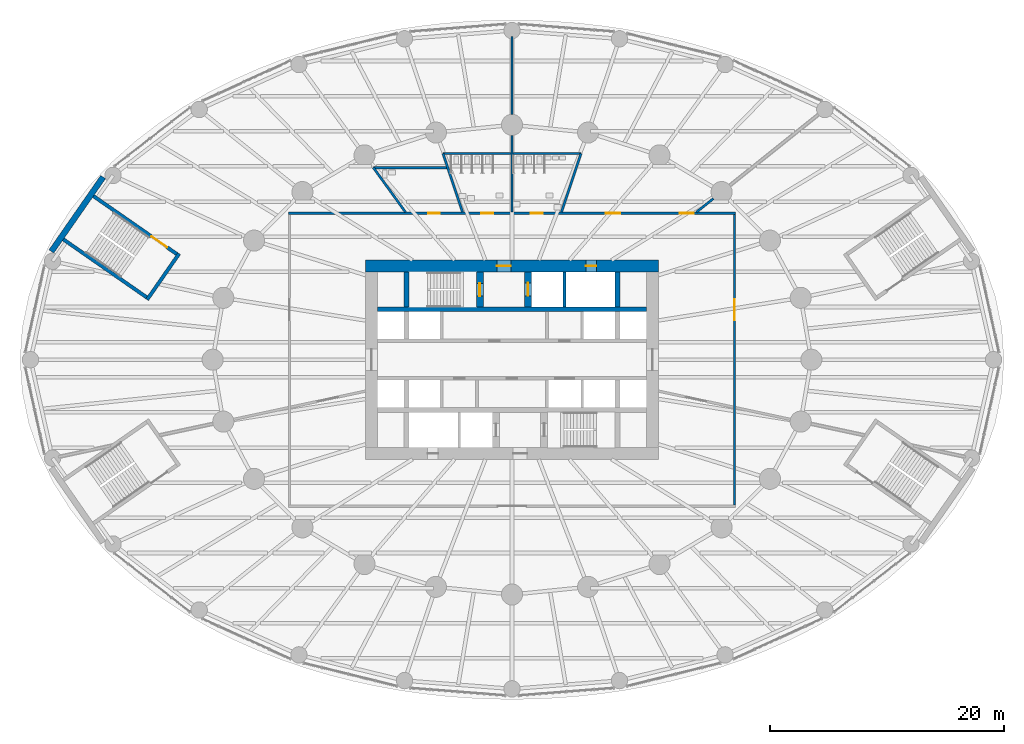
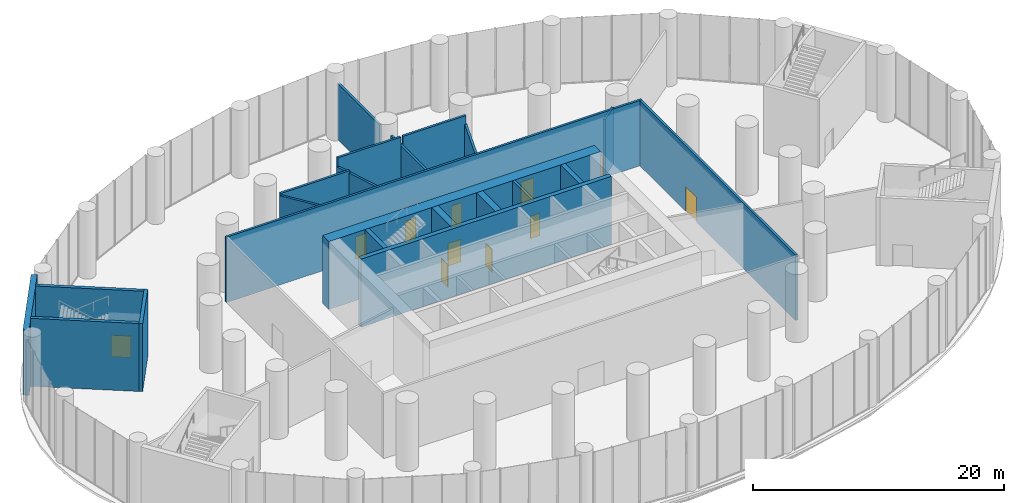
# One storey, part 17 of 22: 22 walls, 11 doors, 11 openings.
"""IFC4 building model written with IfcOpenShell, lengths in metres."""

import ifcopenshell
import ifcopenshell.guid

model = None  # the IFC model being written
_history = None  # IfcOwnerHistory: only IFC2X3 demands one
_inside = {}  # id of a spatial element -> (the spatial element, [elements in it])
_under = {}  # id of a project, library or spatial element -> (it, [spatial elements below it])
_declared = {}  # id of a project -> (the project, [libraries it declares])
_typed = {}  # id of a type object -> (the type object, [elements of that type])
_made_of = {}  # id of a material, layer set ... -> (it, [elements and type objects made of it])


def new_model(schema):
    """Start an empty IFC model of exactly this schema.

    Asked for "IFC4X3", IfcOpenShell would pick the latest addendum, in which some entities
    have other attributes; the version numbers below select the first issue.
    IFC2X3 requires an IfcOwnerHistory on every rooted entity: one is made here for all.
    """
    global model, _history
    if schema == "IFC4X3":
        model = ifcopenshell.file(schema_version=(4, 3, 0, 0))
    else:
        model = ifcopenshell.file(schema=schema)
    _inside.clear()
    _under.clear()
    _declared.clear()
    _typed.clear()
    _made_of.clear()
    _history = None
    if model.schema == "IFC2X3":
        org = make("IfcOrganization", Name="unknown")
        user = make(
            "IfcPersonAndOrganization",
            ThePerson=make("IfcPerson", FamilyName="unknown"),
            TheOrganization=org,
        )
        app = make(
            "IfcApplication",
            ApplicationDeveloper=org,
            Version="unknown",
            ApplicationFullName="unknown",
            ApplicationIdentifier="unknown",
        )
        _history = make(
            "IfcOwnerHistory",
            OwningUser=user,
            OwningApplication=app,
            ChangeAction="ADDED",
            CreationDate=0,
        )
    return model


def make(cls, **values):
    """One entity of the class cls with the attributes given. An attribute that is None is left unset."""
    return model.create_entity(
        cls, **{name: value for name, value in values.items() if value is not None}
    )


def rooted(cls, **values):
    """An entity with a GlobalId (a new one), such as an element, a storey or a relation."""
    return make(cls, GlobalId=ifcopenshell.guid.new(), OwnerHistory=_history, **values)


def si_unit(unit_type, name, prefix=None):
    """IfcSIUnit, for example si_unit("LENGTHUNIT", "METRE", prefix="MILLI")."""
    return make("IfcSIUnit", UnitType=unit_type, Prefix=prefix, Name=name)


def assignment(units):
    """IfcUnitAssignment: the units of a project."""
    return None if units is None else make("IfcUnitAssignment", Units=units)


def point(xyz):
    """IfcCartesianPoint."""
    return None if xyz is None else make("IfcCartesianPoint", Coordinates=xyz)


def direction(xyz):
    """IfcDirection."""
    return None if xyz is None else make("IfcDirection", DirectionRatios=xyz)


def frame(location, z_axis=None, x_axis=None):
    """IfcAxis2Placement3D, a coordinate frame: its origin and axes. An axis left out is left unset."""
    return make(
        "IfcAxis2Placement3D",
        Location=point(location),
        Axis=direction(z_axis),
        RefDirection=direction(x_axis),
    )


def frame_2d(location, x_axis=None):
    """IfcAxis2Placement2D, a coordinate frame in the plane: its origin and x axis."""
    return make(
        "IfcAxis2Placement2D", Location=point(location), RefDirection=direction(x_axis)
    )


def origin():
    """The frame at (0, 0, 0) with its axes left unset."""
    return frame((0.0, 0.0, 0.0))


def place(relative_to, where):
    """IfcLocalPlacement: puts the frame where relative to a parent placement (None: the world)."""
    return make(
        "IfcLocalPlacement", PlacementRelTo=relative_to, RelativePlacement=where
    )


def context(
    kind, dimensions, precision=None, world=None, true_north=None, identifier=None
):
    """IfcGeometricRepresentationContext, for example the 3D "Model" context."""
    return make(
        "IfcGeometricRepresentationContext",
        ContextIdentifier=identifier,
        ContextType=kind,
        CoordinateSpaceDimension=dimensions,
        Precision=precision,
        WorldCoordinateSystem=world,
        TrueNorth=true_north,
    )


def subcontext(parent, identifier, kind, view, scale=None):
    """IfcGeometricRepresentationSubContext, for example "Body" below "Model"."""
    return make(
        "IfcGeometricRepresentationSubContext",
        ContextIdentifier=identifier,
        ContextType=kind,
        ParentContext=parent,
        TargetScale=scale,
        TargetView=view,
    )


def project(units=None, contexts=None):
    """IfcProject with its units and contexts."""
    return rooted(
        "IfcProject",
        Name="project",
        RepresentationContexts=contexts,
        UnitsInContext=assignment(units),
    )


def spatial(cls, under=None, at=None, **own):
    """A site, building, storey or space (cls), placed at a placement, below another one or the project."""
    s = rooted(cls, ObjectPlacement=at, **own)
    if under is not None:
        _under.setdefault(under.id(), (under, []))[1].append(s)
    return s


def profile(cls, at=None, kind="AREA", **sizes):
    """A parametric profile (cls). Its sizes go by their IFC names, for example OverallWidth=200.0."""
    return make(cls, ProfileType=kind, Position=at, **sizes)


def rectangle(**sizes):
    """IfcRectangleProfileDef."""
    return profile("IfcRectangleProfileDef", **sizes)


def extrude(swept, where, along, depth):
    """IfcExtrudedAreaSolid: the profile swept, set in the frame where, extruded along a direction by depth."""
    return make(
        "IfcExtrudedAreaSolid",
        SweptArea=swept,
        Position=where,
        ExtrudedDirection=direction(along),
        Depth=depth,
    )


def shape(context_of_items, identifier, shape_type, items):
    """IfcShapeRepresentation: the items that make up one representation, for example the "Body"."""
    return make(
        "IfcShapeRepresentation",
        ContextOfItems=context_of_items,
        RepresentationIdentifier=identifier,
        RepresentationType=shape_type,
        Items=items,
    )


def material(Name=None, Category=None):
    """IfcMaterial."""
    return make("IfcMaterial", Name=Name, Category=Category)


def layer(
    of_material, thickness, ventilated=None, Name=None, Category=None, Priority=None
):
    """IfcMaterialLayer: one layer of a wall or slab, of a material (None: an air gap)."""
    return make(
        "IfcMaterialLayer",
        Material=of_material,
        LayerThickness=thickness,
        IsVentilated=ventilated,
        Name=Name,
        Category=Category,
        Priority=Priority,
    )


def layer_set(layers, Name=None):
    """IfcMaterialLayerSet."""
    return make("IfcMaterialLayerSet", MaterialLayers=layers, LayerSetName=Name)


def made_of(thing, what):
    """Note that an element or type object is made of a material, layer set ...; save() writes the relation."""
    if what is not None:
        _made_of.setdefault(what.id(), (what, []))[1].append(thing)
    return thing


def type_object(cls, material=None, **own):
    """A type object (cls), such as IfcWallType, which elements share."""
    return made_of(rooted(cls, **own), material)


def element(
    cls,
    number,
    at=None,
    inside=None,
    cuts=None,
    type_object=None,
    material=None,
    context=None,
    identifier="Body",
    shape_type=None,
    held_by="IfcProductDefinitionShape",
    body=None,
    shapes=None,
    **own,
):
    """One element of the class cls, such as IfcWall. Its Tag is "e" and its number.

    at: its placement. inside: the storey or other place that contains it. cuts: it is an
    opening in that element (IfcRelVoidsElement). A single representation is given by context,
    identifier, shape_type and body (its items); several are given by shapes. held_by: the class
    of the entity that holds the representations. save() writes the other relations.
    """
    e = rooted(cls, Tag="e%d" % number, ObjectPlacement=at, **own)
    if body is not None:
        shapes = [shape(context, identifier, shape_type, body)]
    if shapes is not None:
        e.Representation = make(held_by, Representations=shapes)
    if inside is not None:
        _inside.setdefault(inside.id(), (inside, []))[1].append(e)
    if cuts is not None:
        rooted(
            "IfcRelVoidsElement", RelatingBuildingElement=cuts, RelatedOpeningElement=e
        )
    if type_object is not None:
        _typed.setdefault(type_object.id(), (type_object, []))[1].append(e)
    return made_of(e, material)


def fill(opening, filler):
    """IfcRelFillsElement: the door or window that sits in an opening."""
    return rooted(
        "IfcRelFillsElement",
        RelatingOpeningElement=opening,
        RelatedBuildingElement=filler,
    )


def aggregate(whole, parts):
    """IfcRelAggregates: a whole, such as a stair, and the parts it consists of."""
    return rooted("IfcRelAggregates", RelatingObject=whole, RelatedObjects=parts)


def save(model, path):
    """Write the relations noted so far, then the file.

    IfcRelAggregates (storeys below a building ...), IfcRelContainedInSpatialStructure (elements
    in a storey), IfcRelDefinesByType, IfcRelAssociatesMaterial and IfcRelDeclares: one each for
    every whole, place, type object, material and project.
    """
    for whole, parts in _under.values():
        aggregate(whole, parts)
    for where, things in _inside.values():
        rooted(
            "IfcRelContainedInSpatialStructure",
            RelatedElements=things,
            RelatingStructure=where,
        )
    for kind, things in _typed.values():
        rooted("IfcRelDefinesByType", RelatedObjects=things, RelatingType=kind)
    for what, things in _made_of.values():
        rooted("IfcRelAssociatesMaterial", RelatedObjects=things, RelatingMaterial=what)
    for by, libraries in _declared.values():
        rooted("IfcRelDeclares", RelatingContext=by, RelatedDefinitions=libraries)
    model.write(path)


model = new_model("IFC4")

# Units and contexts
model_context = context("Model", 3, precision=1e-05, world=origin(), true_north=direction((0.0, 1.0)))
body_context = subcontext(model_context, "Body", "Model", "MODEL_VIEW")
ifc_project = project(units=[si_unit("LENGTHUNIT", "METRE"), si_unit("AREAUNIT", "SQUARE_METRE"), si_unit("VOLUMEUNIT", "CUBIC_METRE"), si_unit("PLANEANGLEUNIT", "RADIAN"), si_unit("MASSUNIT", "GRAM", prefix="KILO")], contexts=[model_context])

# Site, building, storey
site_placement = place(None, origin())
site = spatial("IfcSite", under=ifc_project, at=site_placement, CompositionType="ELEMENT")
building_placement = place(site_placement, origin())
building = spatial("IfcBuilding", under=site, at=building_placement, Name="Hankou Lantern Tower", CompositionType="ELEMENT")
storey_placement = place(building_placement, frame((0.0, 0.0, 7.199951171875)))
storey = spatial("IfcBuildingStorey", under=building, at=storey_placement, Name="L01", CompositionType="ELEMENT", Elevation=7.199951171875)

# Wall, openings, doors
ifc_material_1 = material(Name="Concrete C60", Category="concrete")
ifc_layer_1 = layer(ifc_material_1, 1.0)
ifc_layer_set_1 = layer_set([ifc_layer_1], Name="Concrete C60")
wall_type_1 = type_object("IfcWallType", Name="CW1 CORE WALL 1000", PredefinedType="SHEAR", material=ifc_layer_set_1)
wall_1_placement = place(storey_placement, frame((-12.5, 8.0, 0.0), z_axis=(0.0, 0.0, 1.0), x_axis=(1.0, 0.0, 0.0)))
wall_1 = element("IfcWall", 1, at=wall_1_placement, inside=storey, type_object=wall_type_1, Name="Core wall north L01", PredefinedType="SHEAR", context=body_context, shape_type="SweptSolid", body=[
    extrude(rectangle(XDim=25.0, YDim=1.0, at=frame_2d((12.5, 0.0))), origin(), (0.0, 0.0, 1.0), 6.60009765625),
])
opening_1_placement = place(wall_1_placement, frame((11.199951171875, 0.0, 0.0)))
opening_1 = element("IfcOpeningElement", 2, at=opening_1_placement, cuts=wall_1, Name="Opening D5", PredefinedType="OPENING", context=body_context, shape_type="SweptSolid", body=[
    extrude(rectangle(XDim=1.199951171875, YDim=2.199951171875, at=frame_2d((0.60009765625, 1.10009765625))), frame((0.0, 0.510009765625, 0.0), z_axis=(0.0, -1.0, 0.0), x_axis=(1.0, 0.0, 0.0)), (0.0, 0.0, 1.0), 1.02001953125),
])
opening_2_placement = place(wall_1_placement, frame((18.800048828125, 0.0, 0.0)))
opening_2 = element("IfcOpeningElement", 3, at=opening_2_placement, cuts=wall_1, Name="Opening D7", PredefinedType="OPENING", context=body_context, shape_type="SweptSolid", body=[
    extrude(rectangle(XDim=0.89990234375, YDim=2.199951171875, at=frame_2d((0.449951171875, 1.10009765625))), frame((0.0, 0.510009765625, 0.0), z_axis=(0.0, -1.0, 0.0), x_axis=(1.0, 0.0, 0.0)), (0.0, 0.0, 1.0), 1.02001953125),
])
ifc_material_2 = material(Name="Steel door leaf", Category="steel")
door_type_1 = type_object("IfcDoorType", Name="D5 STAIR LOBBY DOOR 1200X2200", OperationType="SINGLE_SWING_LEFT", PredefinedType="DOOR", material=ifc_material_2)
door_1_placement = place(opening_1_placement, origin())
door_1 = element("IfcDoor", 4, at=door_1_placement, inside=storey, type_object=door_type_1, Name="Stair A lobby door", OperationType="SINGLE_SWING_LEFT", OverallHeight=2.199951171875, OverallWidth=1.199951171875, PredefinedType="DOOR", context=body_context, shape_type="SweptSolid", body=[
    extrude(rectangle(XDim=1.199951171875, YDim=2.199951171875, at=frame_2d((0.60009765625, 1.10009765625))), frame((0.0, 0.02490234375, 0.0), z_axis=(0.0, -1.0, 0.0), x_axis=(1.0, 0.0, 0.0)), (0.0, 0.0, 1.0), 0.050048828125),
])
fill(opening_1, door_1)
ifc_material_3 = material(Name="Steel door leaf", Category="steel")
door_type_2 = type_object("IfcDoorType", Name="D7 RISER DOOR 900X2200", OperationType="SINGLE_SWING_LEFT", PredefinedType="DOOR", material=ifc_material_3)
door_2_placement = place(opening_2_placement, origin())
door_2 = element("IfcDoor", 5, at=door_2_placement, inside=storey, type_object=door_type_2, Name="Riser N1 door", OperationType="SINGLE_SWING_RIGHT", OverallHeight=2.199951171875, OverallWidth=0.89990234375, PredefinedType="DOOR", context=body_context, shape_type="SweptSolid", body=[
    extrude(rectangle(XDim=0.89990234375, YDim=2.199951171875, at=frame_2d((0.449951171875, 1.10009765625))), frame((0.0, 0.02490234375, 0.0), z_axis=(0.0, -1.0, 0.0), x_axis=(1.0, 0.0, 0.0)), (0.0, 0.0, 1.0), 0.050048828125),
])
fill(opening_2, door_2)

# Walls
ifc_material_4 = material(Name="Concrete C60", Category="concrete")
ifc_layer_2 = layer(ifc_material_4, 0.39990234375)
ifc_layer_set_2 = layer_set([ifc_layer_2], Name="Concrete C60")
wall_type_2 = type_object("IfcWallType", Name="CW4 CORE CROSS WALL 400", PredefinedType="SHEAR", material=ifc_layer_set_2)
wall_2_placement = place(storey_placement, frame((-11.5, 4.300048828125, 0.0), z_axis=(0.0, 0.0, 1.0), x_axis=(1.0, 0.0, 0.0)))
element("IfcWall", 6, at=wall_2_placement, inside=storey, type_object=wall_type_2, Name="Core band wall north L01", PredefinedType="SHEAR", context=body_context, shape_type="SweptSolid", body=[
    extrude(rectangle(XDim=23.0, YDim=0.39990234375, at=frame_2d((11.5, 0.0))), origin(), (0.0, 0.0, 1.0), 6.60009765625),
])
for number, where, z_axis, x_axis, name in (
    (7, (-9.0, 4.5, 0.0), (0.0, 0.0, 1.0), (0.0, 1.0, 0.0), "Core strip wall L01"),
    (8, (9.0, 4.5, 0.0), (0.0, 0.0, 1.0), (0.0, 1.0, 0.0), "Core strip wall L01"),
):
    element("IfcWall", number, at=place(storey_placement, frame(where, z_axis=z_axis, x_axis=x_axis)), inside=storey, type_object=wall_type_2, Name=name, PredefinedType="SHEAR", context=body_context, shape_type="SweptSolid", body=[
        extrude(rectangle(XDim=3.0, YDim=0.39990234375, at=frame_2d((1.5, 0.0))), origin(), (0.0, 0.0, 1.0), 6.60009765625),
    ])

# Wall, opening, door
ifc_material_5 = material(Name="Concrete C60", Category="concrete")
ifc_layer_3 = layer(ifc_material_5, 0.60009765625)
ifc_layer_set_3 = layer_set([ifc_layer_3], Name="Concrete C60")
wall_type_3 = type_object("IfcWallType", Name="CW6 STAIR AND SHAFT WALL 600", PredefinedType="SHEAR", material=ifc_layer_set_3)
wall_3_placement = place(storey_placement, frame((-2.75, 4.5, 0.0), z_axis=(0.0, 0.0, 1.0), x_axis=(0.0, 1.0, 0.0)))
wall_3 = element("IfcWall", 9, at=wall_3_placement, inside=storey, type_object=wall_type_3, Name="Stair wall L01", PredefinedType="SHEAR", context=body_context, shape_type="SweptSolid", body=[
    extrude(rectangle(XDim=3.0, YDim=0.60009765625, at=frame_2d((1.5, 0.0))), origin(), (0.0, 0.0, 1.0), 6.60009765625),
])
opening_3_placement = place(wall_3_placement, frame((0.925048828125, 0.0, 0.0)))
opening_3 = element("IfcOpeningElement", 10, at=opening_3_placement, cuts=wall_3, Name="Opening D4", PredefinedType="OPENING", context=body_context, shape_type="SweptSolid", body=[
    extrude(rectangle(XDim=1.10009765625, YDim=2.199951171875, at=frame_2d((0.550048828125, 1.10009765625))), frame((0.0, 0.31005859375, 0.0), z_axis=(0.0, -1.0, 0.0), x_axis=(1.0, 0.0, 0.0)), (0.0, 0.0, 1.0), 0.6201171875),
])
ifc_material_6 = material(Name="Steel door leaf", Category="steel")
door_type_3 = type_object("IfcDoorType", Name="D4 STAIR DOOR 1100X2200", OperationType="SINGLE_SWING_LEFT", PredefinedType="DOOR", material=ifc_material_6)
door_3_placement = place(opening_3_placement, origin())
door_3 = element("IfcDoor", 11, at=door_3_placement, inside=storey, type_object=door_type_3, Name="Stair A door", OperationType="SINGLE_SWING_LEFT", OverallHeight=2.199951171875, OverallWidth=1.10009765625, PredefinedType="DOOR", context=body_context, shape_type="SweptSolid", body=[
    extrude(rectangle(XDim=1.10009765625, YDim=2.199951171875, at=frame_2d((0.550048828125, 1.10009765625))), frame((0.0, 0.02490234375, 0.0), z_axis=(0.0, -1.0, 0.0), x_axis=(1.0, 0.0, 0.0)), (0.0, 0.0, 1.0), 0.050048828125),
])
fill(opening_3, door_3)

wall_4_placement = place(storey_placement, frame((1.35009765625, 4.5, 0.0), z_axis=(0.0, 0.0, 1.0), x_axis=(0.0, 1.0, 0.0)))
wall_4 = element("IfcWall", 12, at=wall_4_placement, inside=storey, type_object=wall_type_3, Name="Firefighting lift shaft wall L01", PredefinedType="SHEAR", context=body_context, shape_type="SweptSolid", body=[
    extrude(rectangle(XDim=3.0, YDim=0.60009765625, at=frame_2d((1.5, 0.0))), origin(), (0.0, 0.0, 1.0), 6.60009765625),
])
opening_4_placement = place(wall_4_placement, frame((0.949951171875, 0.0, 0.0)))
opening_4 = element("IfcOpeningElement", 13, at=opening_4_placement, cuts=wall_4, Name="Opening LD2", PredefinedType="OPENING", context=body_context, shape_type="SweptSolid", body=[
    extrude(rectangle(XDim=1.10009765625, YDim=2.199951171875, at=frame_2d((0.550048828125, 1.10009765625))), frame((0.0, 0.31005859375, 0.0), z_axis=(0.0, -1.0, 0.0), x_axis=(1.0, 0.0, 0.0)), (0.0, 0.0, 1.0), 0.6201171875),
])
ifc_material_7 = material(Name="Steel door leaf", Category="steel")
door_type_4 = type_object("IfcDoorType", Name="LD2 FIREFIGHTING LIFT LANDING DOOR 1100X2200", OperationType="DOUBLE_DOOR_SLIDING", PredefinedType="DOOR", material=ifc_material_7)
door_4_placement = place(opening_4_placement, origin())
door_4 = element("IfcDoor", 14, at=door_4_placement, inside=storey, type_object=door_type_4, Name="Firefighting lift FL1 landing door", OperationType="DOUBLE_DOOR_SLIDING", OverallHeight=2.199951171875, OverallWidth=1.10009765625, PredefinedType="DOOR", context=body_context, shape_type="SweptSolid", body=[
    extrude(rectangle(XDim=1.10009765625, YDim=2.199951171875, at=frame_2d((0.550048828125, 1.10009765625))), frame((0.0, 0.02490234375, 0.0), z_axis=(0.0, -1.0, 0.0), x_axis=(1.0, 0.0, 0.0)), (0.0, 0.0, 1.0), 0.050048828125),
])
fill(opening_4, door_4)

ifc_material_8 = material(Name="Concrete C50", Category="concrete")
ifc_layer_4 = layer(ifc_material_8, 0.300048828125)
ifc_layer_set_4 = layer_set([ifc_layer_4], Name="Concrete C50")
wall_type_4 = type_object("IfcWallType", Name="CW7 PODIUM STAIR WALL 300", PredefinedType="SHEAR", material=ifc_layer_set_4)
wall_5_placement = place(storey_placement, frame((-35.7294921875, 13.968017578125, 0.0), z_axis=(0.0, 0.0, 1.0), x_axis=(0.82092761123, -0.571032273274, 0.0)))
wall_5 = element("IfcWall", 15, at=wall_5_placement, inside=storey, type_object=wall_type_4, Name="Podium stair P2 wall", PredefinedType="SHEAR", context=body_context, shape_type="SweptSolid", body=[
    extrude(rectangle(XDim=8.659912109375, YDim=0.300048828125, at=frame_2d((4.330078125, 0.0))), origin(), (0.0, 0.0, 1.0), 6.60009765625),
])
opening_5_placement = place(wall_5_placement, frame((6.050048828125, 0.0, 0.0)))
opening_5 = element("IfcOpeningElement", 16, at=opening_5_placement, cuts=wall_5, Name="Opening D16", PredefinedType="OPENING", context=body_context, shape_type="SweptSolid", body=[
    extrude(rectangle(XDim=1.60009765625, YDim=2.10009765625, at=frame_2d((0.800048828125, 1.050048828125))), frame((0.0, 0.159912109375, 0.0), z_axis=(0.0, -1.0, 0.0), x_axis=(1.0, 0.0, 0.0)), (0.0, 0.0, 1.0), 0.320068359375),
])
ifc_material_9 = material(Name="Steel door leaf", Category="steel")
door_type_5 = type_object("IfcDoorType", Name="D16 PODIUM STAIR DOOR 1600X2100", OperationType="SINGLE_SWING_LEFT", PredefinedType="DOOR", material=ifc_material_9)
door_5_placement = place(opening_5_placement, origin())
door_5 = element("IfcDoor", 17, at=door_5_placement, inside=storey, type_object=door_type_5, Name="Podium stair P2 door", OperationType="SINGLE_SWING_LEFT", OverallHeight=2.10009765625, OverallWidth=1.60009765625, PredefinedType="DOOR", context=body_context, shape_type="SweptSolid", body=[
    extrude(rectangle(XDim=1.60009765625, YDim=2.10009765625, at=frame_2d((0.800048828125, 1.050048828125))), frame((0.0, 0.02490234375, 0.0), z_axis=(0.0, -1.0, 0.0), x_axis=(1.0, 0.0, 0.0)), (0.0, 0.0, 1.0), 0.050048828125),
])
fill(opening_5, door_5)

# Walls
wall_6_placement = place(storey_placement, frame((-38.29931640625, 10.273681640625, 0.0), z_axis=(0.0, 0.0, 1.0), x_axis=(0.820936803751, -0.571019057692, 0.0)))
element("IfcWall", 18, at=wall_6_placement, inside=storey, type_object=wall_type_4, Name="Podium stair P2 wall", PredefinedType="SHEAR", context=body_context, shape_type="SweptSolid", body=[
    extrude(rectangle(XDim=8.66015625, YDim=0.300048828125, at=frame_2d((4.330078125, 0.0))), origin(), (0.0, 0.0, 1.0), 6.60009765625),
])
wall_7_placement = place(storey_placement, frame((-28.41162109375, 9.060302734375, 0.0), z_axis=(0.0, 0.0, 1.0), x_axis=(-0.571036173178, -0.820924898467, 0.0)))
element("IfcWall", 19, at=wall_7_placement, inside=storey, type_object=wall_type_4, Name="Podium stair P2 wall", PredefinedType="SHEAR", context=body_context, shape_type="SweptSolid", body=[
    extrude(rectangle(XDim=4.800048828125, YDim=0.300048828125, at=frame_2d((2.39990234375, 0.0))), origin(), (0.0, 0.0, 1.0), 6.60009765625),
])
ifc_material_10 = material(Name="Granite cladding on reinforced concrete C50", Category="masonry")
ifc_layer_5 = layer(ifc_material_10, 0.5)
ifc_layer_set_5 = layer_set([ifc_layer_5], Name="Granite cladding on reinforced concrete C50")
wall_type_5 = type_object("IfcWallType", Name="EW2 STONE PORTAL WALL 500", PredefinedType="SOLIDWALL", material=ifc_layer_set_5)
wall_8_placement = place(storey_placement, frame((-34.90478515625, 15.591552734375, 0.0), z_axis=(0.0, 0.0, 1.0), x_axis=(-0.571029335057, -0.820929655028, 0.0)))
element("IfcWall", 20, at=wall_8_placement, inside=storey, type_object=wall_type_5, Name="Portal wall R11 L01", PredefinedType="SOLIDWALL", context=body_context, shape_type="SweptSolid", body=[
    extrude(rectangle(XDim=7.732666015625, YDim=0.5, at=frame_2d((3.8662109375, 0.0))), origin(), (0.0, 0.0, 1.0), 6.35009765625),
])

# Wall, openings, doors
ifc_material_11 = material(Name="Masonry lightweight concrete block", Category="masonry")
ifc_layer_6 = layer(ifc_material_11, 0.199951171875)
ifc_layer_set_6 = layer_set([ifc_layer_6], Name="Masonry lightweight concrete block")
wall_type_6 = type_object("IfcWallType", Name="IW2 CORRIDOR WALL 200", PredefinedType="PARTITIONING", material=ifc_layer_set_6)
wall_9_placement = place(storey_placement, frame((-19.10009765625, 12.5, 0.0), z_axis=(0.0, 0.0, 1.0), x_axis=(1.0, 0.0, 0.0)))
wall_9 = element("IfcWall", 21, at=wall_9_placement, inside=storey, type_object=wall_type_6, Name="Foyer wall north", PredefinedType="PARTITIONING", context=body_context, shape_type="SweptSolid", body=[
    extrude(rectangle(XDim=38.2001953125, YDim=0.199951171875, at=frame_2d((19.10009765625, 0.0))), origin(), (0.0, 0.0, 1.0), 6.35009765625),
])
opening_6_placement = place(wall_9_placement, frame((27.1201171875, 0.0, 0.0)))
opening_6 = element("IfcOpeningElement", 22, at=opening_6_placement, cuts=wall_9, Name="Opening D23", PredefinedType="OPENING", context=body_context, shape_type="SweptSolid", body=[
    extrude(rectangle(XDim=1.199951171875, YDim=2.199951171875, at=frame_2d((0.60009765625, 1.10009765625))), frame((0.0, 0.10986328125, 0.0), z_axis=(0.0, -1.0, 0.0), x_axis=(1.0, 0.0, 0.0)), (0.0, 0.0, 1.0), 0.219970703125),
])
opening_7_placement = place(wall_9_placement, frame((20.710205078125, 0.0, 0.0)))
opening_7 = element("IfcOpeningElement", 23, at=opening_7_placement, cuts=wall_9, Name="Opening D22", PredefinedType="OPENING", context=body_context, shape_type="SweptSolid", body=[
    extrude(rectangle(XDim=1.0, YDim=2.10009765625, at=frame_2d((0.5, 1.050048828125))), frame((0.0, 0.10986328125, 0.0), z_axis=(0.0, -1.0, 0.0), x_axis=(1.0, 0.0, 0.0)), (0.0, 0.0, 1.0), 0.219970703125),
])
opening_8_placement = place(wall_9_placement, frame((16.489990234375, 0.0, 0.0)))
opening_8 = element("IfcOpeningElement", 24, at=opening_8_placement, cuts=wall_9, Name="Opening D22", PredefinedType="OPENING", context=body_context, shape_type="SweptSolid", body=[
    extrude(rectangle(XDim=1.0, YDim=2.10009765625, at=frame_2d((0.5, 1.050048828125))), frame((0.0, 0.10986328125, 0.0), z_axis=(0.0, -1.0, 0.0), x_axis=(1.0, 0.0, 0.0)), (0.0, 0.0, 1.0), 0.219970703125),
])
opening_9_placement = place(wall_9_placement, frame((11.943359375, 0.0, 0.0)))
opening_9 = element("IfcOpeningElement", 25, at=opening_9_placement, cuts=wall_9, Name="Opening D11", PredefinedType="OPENING", context=body_context, shape_type="SweptSolid", body=[
    extrude(rectangle(XDim=1.0, YDim=2.199951171875, at=frame_2d((0.5, 1.10009765625))), frame((0.0, 0.10986328125, 0.0), z_axis=(0.0, -1.0, 0.0), x_axis=(1.0, 0.0, 0.0)), (0.0, 0.0, 1.0), 0.219970703125),
])
opening_10_placement = place(wall_9_placement, frame((33.420166015625, 0.0, 0.0)))
opening_10 = element("IfcOpeningElement", 26, at=opening_10_placement, cuts=wall_9, Name="Opening D23", PredefinedType="OPENING", context=body_context, shape_type="SweptSolid", body=[
    extrude(rectangle(XDim=1.199951171875, YDim=2.199951171875, at=frame_2d((0.60009765625, 1.10009765625))), frame((0.0, 0.10986328125, 0.0), z_axis=(0.0, -1.0, 0.0), x_axis=(1.0, 0.0, 0.0)), (0.0, 0.0, 1.0), 0.219970703125),
])
ifc_material_12 = material(Name="Timber door leaf", Category="wood")
door_type_6 = type_object("IfcDoorType", Name="D11 ACCESSIBLE WC DOOR 1000X2200", OperationType="SLIDING_TO_LEFT", PredefinedType="DOOR", material=ifc_material_12)
door_6_placement = place(opening_9_placement, origin())
door_6 = element("IfcDoor", 27, at=door_6_placement, inside=storey, type_object=door_type_6, Name="Accessible WC door", OperationType="SLIDING_TO_LEFT", OverallHeight=2.199951171875, OverallWidth=1.0, PredefinedType="DOOR", context=body_context, shape_type="SweptSolid", body=[
    extrude(rectangle(XDim=1.0, YDim=2.199951171875, at=frame_2d((0.5, 1.10009765625))), frame((0.0, 0.02490234375, 0.0), z_axis=(0.0, -1.0, 0.0), x_axis=(1.0, 0.0, 0.0)), (0.0, 0.0, 1.0), 0.050048828125),
])
fill(opening_9, door_6)
ifc_material_13 = material(Name="Timber door leaf", Category="wood")
door_type_7 = type_object("IfcDoorType", Name="D22 WIDE WC DOOR 1000X2100", OperationType="SINGLE_SWING_LEFT", PredefinedType="DOOR", material=ifc_material_13)
door_7_placement = place(opening_7_placement, origin())
door_7 = element("IfcDoor", 28, at=door_7_placement, inside=storey, type_object=door_type_7, Name="Male WC door", OperationType="SINGLE_SWING_RIGHT", OverallHeight=2.10009765625, OverallWidth=1.0, PredefinedType="DOOR", context=body_context, shape_type="SweptSolid", body=[
    extrude(rectangle(XDim=1.0, YDim=2.10009765625, at=frame_2d((0.5, 1.050048828125))), frame((0.0, 0.02490234375, 0.0), z_axis=(0.0, -1.0, 0.0), x_axis=(1.0, 0.0, 0.0)), (0.0, 0.0, 1.0), 0.050048828125),
])
fill(opening_7, door_7)
door_8_placement = place(opening_8_placement, origin())
door_8 = element("IfcDoor", 29, at=door_8_placement, inside=storey, type_object=door_type_7, Name="Female WC door", OperationType="SINGLE_SWING_LEFT", OverallHeight=2.10009765625, OverallWidth=1.0, PredefinedType="DOOR", context=body_context, shape_type="SweptSolid", body=[
    extrude(rectangle(XDim=1.0, YDim=2.10009765625, at=frame_2d((0.5, 1.050048828125))), frame((0.0, 0.02490234375, 0.0), z_axis=(0.0, -1.0, 0.0), x_axis=(1.0, 0.0, 0.0)), (0.0, 0.0, 1.0), 0.050048828125),
])
fill(opening_8, door_8)
ifc_material_14 = material(Name="Steel door leaf", Category="steel")
door_type_8 = type_object("IfcDoorType", Name="D23 WIDE STORE DOOR 1200X2200", OperationType="SINGLE_SWING_LEFT", PredefinedType="DOOR", material=ifc_material_14)
door_9_placement = place(opening_6_placement, origin())
door_9 = element("IfcDoor", 30, at=door_9_placement, inside=storey, type_object=door_type_8, Name="Banquet store door", OperationType="SINGLE_SWING_LEFT", OverallHeight=2.199951171875, OverallWidth=1.199951171875, PredefinedType="DOOR", context=body_context, shape_type="SweptSolid", body=[
    extrude(rectangle(XDim=1.199951171875, YDim=2.199951171875, at=frame_2d((0.60009765625, 1.10009765625))), frame((0.0, 0.02490234375, 0.0), z_axis=(0.0, -1.0, 0.0), x_axis=(1.0, 0.0, 0.0)), (0.0, 0.0, 1.0), 0.050048828125),
])
fill(opening_6, door_9)
door_10_placement = place(opening_10_placement, origin())
door_10 = element("IfcDoor", 31, at=door_10_placement, inside=storey, type_object=door_type_8, Name="Banquet store second door", OperationType="SINGLE_SWING_LEFT", OverallHeight=2.199951171875, OverallWidth=1.199951171875, PredefinedType="DOOR", context=body_context, shape_type="SweptSolid", body=[
    extrude(rectangle(XDim=1.199951171875, YDim=2.199951171875, at=frame_2d((0.60009765625, 1.10009765625))), frame((0.0, 0.02490234375, 0.0), z_axis=(0.0, -1.0, 0.0), x_axis=(1.0, 0.0, 0.0)), (0.0, 0.0, 1.0), 0.050048828125),
])
fill(opening_10, door_10)

# Wall, opening, door
wall_10_placement = place(storey_placement, frame((19.0, -12.39990234375, 0.0), z_axis=(0.0, 0.0, 1.0), x_axis=(0.0, 1.0, 0.0)))
wall_10 = element("IfcWall", 32, at=wall_10_placement, inside=storey, type_object=wall_type_6, Name="Foyer wall east", PredefinedType="PARTITIONING", context=body_context, shape_type="SweptSolid", body=[
    extrude(rectangle(XDim=24.7998046875, YDim=0.199951171875, at=frame_2d((12.39990234375, 0.0))), origin(), (0.0, 0.0, 1.0), 6.35009765625),
])
opening_11_placement = place(wall_10_placement, frame((15.7529296875, 0.0, 0.0)))
opening_11 = element("IfcOpeningElement", 33, at=opening_11_placement, cuts=wall_10, Name="Opening D8", PredefinedType="OPENING", context=body_context, shape_type="SweptSolid", body=[
    extrude(rectangle(XDim=1.800048828125, YDim=2.39990234375, at=frame_2d((0.89990234375, 1.199951171875))), frame((0.0, 0.10986328125, 0.0), z_axis=(0.0, -1.0, 0.0), x_axis=(1.0, 0.0, 0.0)), (0.0, 0.0, 1.0), 0.219970703125),
])
ifc_material_15 = material(Name="Steel door leaf", Category="steel")
door_type_9 = type_object("IfcDoorType", Name="D8 DOUBLE DOOR 1800X2400", OperationType="DOUBLE_DOOR_DOUBLE_SWING", PredefinedType="DOOR", material=ifc_material_15)
door_11_placement = place(opening_11_placement, origin())
door_11 = element("IfcDoor", 34, at=door_11_placement, inside=storey, type_object=door_type_9, Name="Banquet kitchen door", OperationType="DOUBLE_DOOR_DOUBLE_SWING", OverallHeight=2.39990234375, OverallWidth=1.800048828125, PredefinedType="DOOR", context=body_context, shape_type="SweptSolid", body=[
    extrude(rectangle(XDim=1.800048828125, YDim=2.39990234375, at=frame_2d((0.89990234375, 1.199951171875))), frame((0.0, 0.02490234375, 0.0), z_axis=(0.0, -1.0, 0.0), x_axis=(1.0, 0.0, 0.0)), (0.0, 0.0, 1.0), 0.050048828125),
])
fill(opening_11, door_11)

# Walls
ifc_material_16 = material(Name="Masonry lightweight concrete block", Category="masonry")
ifc_layer_7 = layer(ifc_material_16, 0.199951171875)
ifc_layer_set_7 = layer_set([ifc_layer_7], Name="Masonry lightweight concrete block")
wall_type_7 = type_object("IfcWallType", Name="IW8 PARTITION 200", PredefinedType="PARTITIONING", material=ifc_layer_set_7)
wall_11_placement = place(storey_placement, frame((15.75, 12.60009765625, 0.0), z_axis=(0.0, 0.0, 1.0), x_axis=(0.780881734892, 0.6246788904, 0.0)))
element("IfcWall", 35, at=wall_11_placement, inside=storey, type_object=wall_type_7, Name="Partition R04", PredefinedType="PARTITIONING", context=body_context, shape_type="SweptSolid", body=[
    extrude(rectangle(XDim=1.8427734375, YDim=0.199951171875, at=frame_2d((0.92138671875, 0.0))), origin(), (0.0, 0.0, 1.0), 5.5),
])
wall_12_placement = place(storey_placement, frame((4.22021484375, 12.60009765625, 0.0), z_axis=(0.0, 0.0, 1.0), x_axis=(0.317574790206, 0.948233226915, 0.0)))
element("IfcWall", 36, at=wall_12_placement, inside=storey, type_object=wall_type_7, Name="Partition R06", PredefinedType="PARTITIONING", context=body_context, shape_type="SweptSolid", body=[
    extrude(rectangle(XDim=5.27294921875, YDim=0.199951171875, at=frame_2d((2.636474609375, 0.0))), origin(), (0.0, 0.0, 1.0), 5.5),
])
wall_13_placement = place(storey_placement, frame((0.0, 12.60009765625, 0.0), z_axis=(0.0, 0.0, 1.0), x_axis=(0.0, 1.0, 0.0)))
element("IfcWall", 37, at=wall_13_placement, inside=storey, type_object=wall_type_7, Name="Partition R07", PredefinedType="PARTITIONING", context=body_context, shape_type="SweptSolid", body=[
    extrude(rectangle(XDim=6.5498046875, YDim=0.199951171875, at=frame_2d((3.27490234375, 0.0))), origin(), (0.0, 0.0, 1.0), 5.5),
])
wall_14_placement = place(storey_placement, frame((0.0, 20.949951171875, 0.0), z_axis=(0.0, 0.0, 1.0), x_axis=(0.0, 1.0, 0.0)))
element("IfcWall", 38, at=wall_14_placement, inside=storey, type_object=wall_type_7, Name="Partition R07", PredefinedType="PARTITIONING", context=body_context, shape_type="SweptSolid", body=[
    extrude(rectangle(XDim=6.650146484375, YDim=0.199951171875, at=frame_2d((3.3251953125, 0.0))), origin(), (0.0, 0.0, 1.0), 5.449951171875),
])
wall_15_placement = place(storey_placement, frame((-4.22021484375, 12.60009765625, 0.0), z_axis=(0.0, 0.0, 1.0), x_axis=(-0.317574790206, 0.948233226915, 0.0)))
element("IfcWall", 39, at=wall_15_placement, inside=storey, type_object=wall_type_7, Name="Partition R08", PredefinedType="PARTITIONING", context=body_context, shape_type="SweptSolid", body=[
    extrude(rectangle(XDim=5.27294921875, YDim=0.199951171875, at=frame_2d((2.636474609375, 0.0))), origin(), (0.0, 0.0, 1.0), 5.5),
])
wall_16_placement = place(storey_placement, frame((-9.09326171875, 12.60009765625, 0.0), z_axis=(0.0, 0.0, 1.0), x_axis=(-0.585228020299, 0.810868771292, 0.0)))
element("IfcWall", 40, at=wall_16_placement, inside=storey, type_object=wall_type_7, Name="Partition R09", PredefinedType="PARTITIONING", context=body_context, shape_type="SweptSolid", body=[
    extrude(rectangle(XDim=4.68603515625, YDim=0.199951171875, at=frame_2d((2.343017578125, 0.0))), origin(), (0.0, 0.0, 1.0), 5.5),
])
for number, where, z_axis, x_axis, name in (
    (41, (5.894775390625, 17.60009765625, 0.0), (0.0, 0.0, 1.0), (-1.0, 0.0, 0.0), "Partition WC back wall"),
    (42, (-0.10009765625, 17.60009765625, 0.0), (0.0, 0.0, 1.0), (-1.0, 0.0, 0.0), "Partition WC back wall"),
):
    element("IfcWall", number, at=place(storey_placement, frame(where, z_axis=z_axis, x_axis=x_axis)), inside=storey, type_object=wall_type_7, Name=name, PredefinedType="PARTITIONING", context=body_context, shape_type="SweptSolid", body=[
        extrude(rectangle(XDim=5.794677734375, YDim=0.199951171875, at=frame_2d((2.8974609375, 0.0))), origin(), (0.0, 0.0, 1.0), 6.35009765625),
    ])
wall_17_placement = place(storey_placement, frame((-5.492919921875, 16.39990234375, 0.0), z_axis=(0.0, 0.0, 1.0), x_axis=(-1.0, 0.0, 0.0)))
element("IfcWall", 43, at=wall_17_placement, inside=storey, type_object=wall_type_7, Name="Partition accessible WC back wall", PredefinedType="PARTITIONING", context=body_context, shape_type="SweptSolid", body=[
    extrude(rectangle(XDim=6.3427734375, YDim=0.199951171875, at=frame_2d((3.17138671875, 0.0))), origin(), (0.0, 0.0, 1.0), 5.699951171875),
])
ifc_material_17 = material(Name="Masonry autoclaved aerated concrete block", Category="masonry")
ifc_layer_8 = layer(ifc_material_17, 0.25)
ifc_layer_set_8 = layer_set([ifc_layer_8], Name="Masonry autoclaved aerated concrete block")
wall_type_8 = type_object("IfcWallType", Name="SW1 SHAFT BLOCK WALL 250", PredefinedType="PARTITIONING", material=ifc_layer_set_8)
wall_18_placement = place(storey_placement, frame((4.5, 4.5, 0.0), z_axis=(0.0, 0.0, 1.0), x_axis=(0.0, 1.0, 0.0)))
element("IfcWall", 44, at=wall_18_placement, inside=storey, type_object=wall_type_8, Name="Riser wall L01", PredefinedType="PARTITIONING", context=body_context, shape_type="SweptSolid", body=[
    extrude(rectangle(XDim=3.0, YDim=0.25, at=frame_2d((1.5, 0.0))), origin(), (0.0, 0.0, 1.0), 6.60009765625),
])

save(model, "model.ifc")
